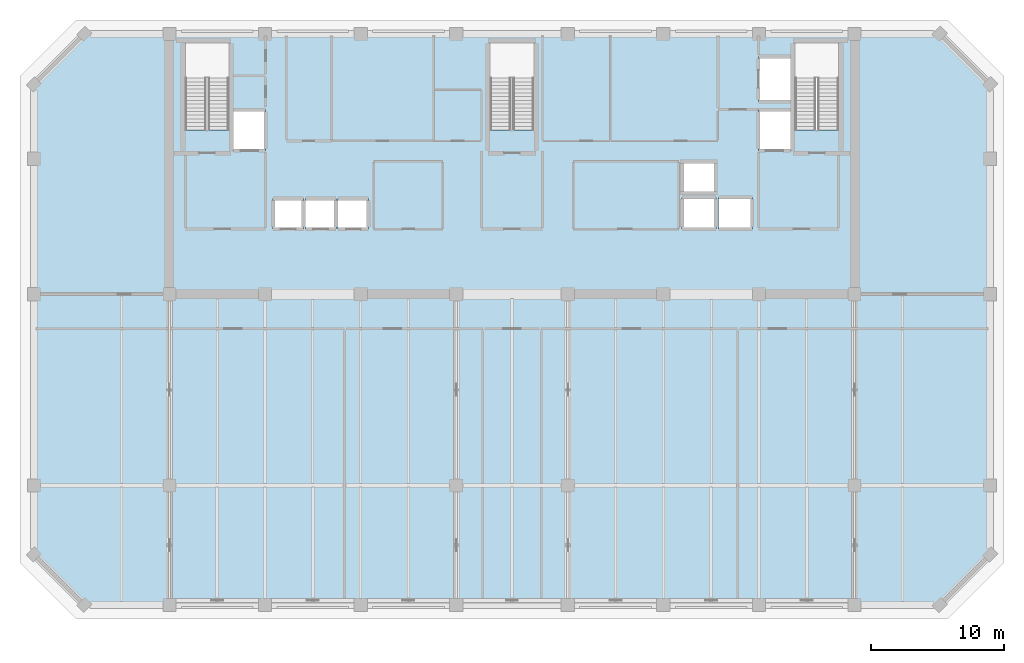
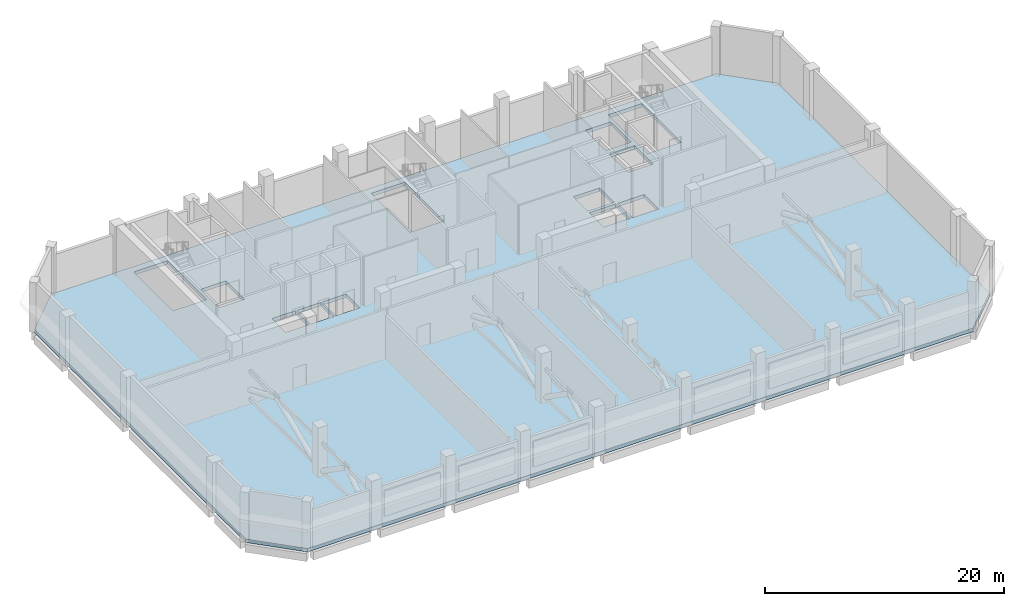
# One storey, part 4 of 11: 1 slab.
"""IFC4 building model written with IfcOpenShell, lengths in metres."""

import ifcopenshell
import ifcopenshell.guid

model = None  # the IFC model being written
_history = None  # IfcOwnerHistory: only IFC2X3 demands one
_inside = {}  # id of a spatial element -> (the spatial element, [elements in it])
_under = {}  # id of a project, library or spatial element -> (it, [spatial elements below it])
_declared = {}  # id of a project -> (the project, [libraries it declares])
_typed = {}  # id of a type object -> (the type object, [elements of that type])
_made_of = {}  # id of a material, layer set ... -> (it, [elements and type objects made of it])


def new_model(schema):
    """Start an empty IFC model of exactly this schema.

    Asked for "IFC4X3", IfcOpenShell would pick the latest addendum, in which some entities
    have other attributes; the version numbers below select the first issue.
    IFC2X3 requires an IfcOwnerHistory on every rooted entity: one is made here for all.
    """
    global model, _history
    if schema == "IFC4X3":
        model = ifcopenshell.file(schema_version=(4, 3, 0, 0))
    else:
        model = ifcopenshell.file(schema=schema)
    _inside.clear()
    _under.clear()
    _declared.clear()
    _typed.clear()
    _made_of.clear()
    _history = None
    if model.schema == "IFC2X3":
        org = make("IfcOrganization", Name="unknown")
        user = make(
            "IfcPersonAndOrganization",
            ThePerson=make("IfcPerson", FamilyName="unknown"),
            TheOrganization=org,
        )
        app = make(
            "IfcApplication",
            ApplicationDeveloper=org,
            Version="unknown",
            ApplicationFullName="unknown",
            ApplicationIdentifier="unknown",
        )
        _history = make(
            "IfcOwnerHistory",
            OwningUser=user,
            OwningApplication=app,
            ChangeAction="ADDED",
            CreationDate=0,
        )
    return model


def make(cls, **values):
    """One entity of the class cls with the attributes given. An attribute that is None is left unset."""
    return model.create_entity(
        cls, **{name: value for name, value in values.items() if value is not None}
    )


def rooted(cls, **values):
    """An entity with a GlobalId (a new one), such as an element, a storey or a relation."""
    return make(cls, GlobalId=ifcopenshell.guid.new(), OwnerHistory=_history, **values)


def si_unit(unit_type, name, prefix=None):
    """IfcSIUnit, for example si_unit("LENGTHUNIT", "METRE", prefix="MILLI")."""
    return make("IfcSIUnit", UnitType=unit_type, Prefix=prefix, Name=name)


def assignment(units):
    """IfcUnitAssignment: the units of a project."""
    return None if units is None else make("IfcUnitAssignment", Units=units)


def point(xyz):
    """IfcCartesianPoint."""
    return None if xyz is None else make("IfcCartesianPoint", Coordinates=xyz)


def direction(xyz):
    """IfcDirection."""
    return None if xyz is None else make("IfcDirection", DirectionRatios=xyz)


def frame(location, z_axis=None, x_axis=None):
    """IfcAxis2Placement3D, a coordinate frame: its origin and axes. An axis left out is left unset."""
    return make(
        "IfcAxis2Placement3D",
        Location=point(location),
        Axis=direction(z_axis),
        RefDirection=direction(x_axis),
    )


def origin():
    """The frame at (0, 0, 0) with its axes left unset."""
    return frame((0.0, 0.0, 0.0))


def place(relative_to, where):
    """IfcLocalPlacement: puts the frame where relative to a parent placement (None: the world)."""
    return make(
        "IfcLocalPlacement", PlacementRelTo=relative_to, RelativePlacement=where
    )


def context(
    kind, dimensions, precision=None, world=None, true_north=None, identifier=None
):
    """IfcGeometricRepresentationContext, for example the 3D "Model" context."""
    return make(
        "IfcGeometricRepresentationContext",
        ContextIdentifier=identifier,
        ContextType=kind,
        CoordinateSpaceDimension=dimensions,
        Precision=precision,
        WorldCoordinateSystem=world,
        TrueNorth=true_north,
    )


def subcontext(parent, identifier, kind, view, scale=None):
    """IfcGeometricRepresentationSubContext, for example "Body" below "Model"."""
    return make(
        "IfcGeometricRepresentationSubContext",
        ContextIdentifier=identifier,
        ContextType=kind,
        ParentContext=parent,
        TargetScale=scale,
        TargetView=view,
    )


def project(units=None, contexts=None):
    """IfcProject with its units and contexts."""
    return rooted(
        "IfcProject",
        Name="project",
        RepresentationContexts=contexts,
        UnitsInContext=assignment(units),
    )


def spatial(cls, under=None, at=None, **own):
    """A site, building, storey or space (cls), placed at a placement, below another one or the project."""
    s = rooted(cls, ObjectPlacement=at, **own)
    if under is not None:
        _under.setdefault(under.id(), (under, []))[1].append(s)
    return s


def polyline(points):
    """IfcPolyline through the points."""
    return make("IfcPolyline", Points=[point(p) for p in points])


def outline(outer, holes=None, kind="AREA"):
    """IfcArbitraryClosedProfileDef: a profile drawn as a closed curve; with holes, ...WithVoids."""
    if holes is None:
        return make("IfcArbitraryClosedProfileDef", ProfileType=kind, OuterCurve=outer)
    return make(
        "IfcArbitraryProfileDefWithVoids",
        ProfileType=kind,
        OuterCurve=outer,
        InnerCurves=holes,
    )


def extrude(swept, where, along, depth):
    """IfcExtrudedAreaSolid: the profile swept, set in the frame where, extruded along a direction by depth."""
    return make(
        "IfcExtrudedAreaSolid",
        SweptArea=swept,
        Position=where,
        ExtrudedDirection=direction(along),
        Depth=depth,
    )


def shape(context_of_items, identifier, shape_type, items):
    """IfcShapeRepresentation: the items that make up one representation, for example the "Body"."""
    return make(
        "IfcShapeRepresentation",
        ContextOfItems=context_of_items,
        RepresentationIdentifier=identifier,
        RepresentationType=shape_type,
        Items=items,
    )


def material(Name=None, Category=None):
    """IfcMaterial."""
    return make("IfcMaterial", Name=Name, Category=Category)


def layer(
    of_material, thickness, ventilated=None, Name=None, Category=None, Priority=None
):
    """IfcMaterialLayer: one layer of a wall or slab, of a material (None: an air gap)."""
    return make(
        "IfcMaterialLayer",
        Material=of_material,
        LayerThickness=thickness,
        IsVentilated=ventilated,
        Name=Name,
        Category=Category,
        Priority=Priority,
    )


def layer_set(layers, Name=None):
    """IfcMaterialLayerSet."""
    return make("IfcMaterialLayerSet", MaterialLayers=layers, LayerSetName=Name)


def made_of(thing, what):
    """Note that an element or type object is made of a material, layer set ...; save() writes the relation."""
    if what is not None:
        _made_of.setdefault(what.id(), (what, []))[1].append(thing)
    return thing


def type_object(cls, material=None, **own):
    """A type object (cls), such as IfcWallType, which elements share."""
    return made_of(rooted(cls, **own), material)


def element(
    cls,
    number,
    at=None,
    inside=None,
    cuts=None,
    type_object=None,
    material=None,
    context=None,
    identifier="Body",
    shape_type=None,
    held_by="IfcProductDefinitionShape",
    body=None,
    shapes=None,
    **own,
):
    """One element of the class cls, such as IfcWall. Its Tag is "e" and its number.

    at: its placement. inside: the storey or other place that contains it. cuts: it is an
    opening in that element (IfcRelVoidsElement). A single representation is given by context,
    identifier, shape_type and body (its items); several are given by shapes. held_by: the class
    of the entity that holds the representations. save() writes the other relations.
    """
    e = rooted(cls, Tag="e%d" % number, ObjectPlacement=at, **own)
    if body is not None:
        shapes = [shape(context, identifier, shape_type, body)]
    if shapes is not None:
        e.Representation = make(held_by, Representations=shapes)
    if inside is not None:
        _inside.setdefault(inside.id(), (inside, []))[1].append(e)
    if cuts is not None:
        rooted(
            "IfcRelVoidsElement", RelatingBuildingElement=cuts, RelatedOpeningElement=e
        )
    if type_object is not None:
        _typed.setdefault(type_object.id(), (type_object, []))[1].append(e)
    return made_of(e, material)


def aggregate(whole, parts):
    """IfcRelAggregates: a whole, such as a stair, and the parts it consists of."""
    return rooted("IfcRelAggregates", RelatingObject=whole, RelatedObjects=parts)


def save(model, path):
    """Write the relations noted so far, then the file.

    IfcRelAggregates (storeys below a building ...), IfcRelContainedInSpatialStructure (elements
    in a storey), IfcRelDefinesByType, IfcRelAssociatesMaterial and IfcRelDeclares: one each for
    every whole, place, type object, material and project.
    """
    for whole, parts in _under.values():
        aggregate(whole, parts)
    for where, things in _inside.values():
        rooted(
            "IfcRelContainedInSpatialStructure",
            RelatedElements=things,
            RelatingStructure=where,
        )
    for kind, things in _typed.values():
        rooted("IfcRelDefinesByType", RelatedObjects=things, RelatingType=kind)
    for what, things in _made_of.values():
        rooted("IfcRelAssociatesMaterial", RelatedObjects=things, RelatingMaterial=what)
    for by, libraries in _declared.values():
        rooted("IfcRelDeclares", RelatingContext=by, RelatedDefinitions=libraries)
    model.write(path)


model = new_model("IFC4")

# Units and contexts
model_context = context("Model", 3, precision=1e-05, world=origin(), true_north=direction((0.0, 1.0)))
body_context = subcontext(model_context, "Body", "Model", "MODEL_VIEW")
ifc_project = project(units=[si_unit("LENGTHUNIT", "METRE"), si_unit("AREAUNIT", "SQUARE_METRE"), si_unit("VOLUMEUNIT", "CUBIC_METRE"), si_unit("PLANEANGLEUNIT", "RADIAN"), si_unit("MASSUNIT", "GRAM", prefix="KILO")], contexts=[model_context])

# Site, building, storey
site_placement = place(None, origin())
site = spatial("IfcSite", under=ifc_project, at=site_placement, CompositionType="ELEMENT")
building_placement = place(site_placement, origin())
building = spatial("IfcBuilding", under=site, at=building_placement, Name="Kaelvorn Grand Hotel", CompositionType="ELEMENT")
storey_placement = place(building_placement, frame((0.0, 0.0, 280.5)))
storey = spatial("IfcBuildingStorey", under=building, at=storey_placement, Name="L69", CompositionType="ELEMENT", Elevation=280.5)

# Slab
ifc_material = material(Name="Concrete C40/50", Category="concrete")
ifc_layer = layer(ifc_material, 0.35009765625)
ifc_layer_set = layer_set([ifc_layer], Name="Concrete C40/50")
slab_type = type_object("IfcSlabType", Name="SLB-FLR-350-C40", PredefinedType="FLOOR", material=ifc_layer_set)
slab_placement = place(storey_placement, frame((0.0, 0.0, -0.35009765625)))
element("IfcSlab", 1, at=slab_placement, inside=storey, type_object=slab_type, Name="L69 Indoor Suspended Floor Slab", PredefinedType="FLOOR", context=body_context, shape_type="SweptSolid", body=[
    extrude(outline(polyline([(9.800048828125, 6.0), (74.199951171875, 6.0), (78.0, 9.800048828125), (78.0, 45.199951171875), (74.199951171875, 49.0), (9.800048828125, 49.0), (6.0, 45.199951171875), (6.0, 9.800048828125), (9.800048828125, 6.0)]), holes=[polyline([(17.39990234375, 41.760009765625), (17.39990234375, 48.300048828125), (20.679931640625, 48.300048828125), (20.679931640625, 41.760009765625), (17.39990234375, 41.760009765625)]), polyline([(40.360107421875, 41.760009765625), (40.360107421875, 48.300048828125), (43.639892578125, 48.300048828125), (43.639892578125, 41.760009765625), (40.360107421875, 41.760009765625)]), polyline([(63.320068359375, 41.760009765625), (63.320068359375, 48.300048828125), (66.60009765625, 48.300048828125), (66.60009765625, 41.760009765625), (63.320068359375, 41.760009765625)]), polyline([(24.0, 34.300048828125), (24.0, 36.60009765625), (26.300048828125, 36.60009765625), (26.300048828125, 34.300048828125), (24.0, 34.300048828125)]), polyline([(26.449951171875, 34.300048828125), (26.449951171875, 36.60009765625), (28.75, 36.60009765625), (28.75, 34.300048828125), (26.449951171875, 34.300048828125)]), polyline([(28.89990234375, 34.300048828125), (28.89990234375, 36.60009765625), (31.199951171875, 36.60009765625), (31.199951171875, 34.300048828125), (28.89990234375, 34.300048828125)]), polyline([(54.800048828125, 34.300048828125), (54.800048828125, 36.699951171875), (57.35009765625, 36.699951171875), (57.35009765625, 34.300048828125), (54.800048828125, 34.300048828125)]), polyline([(57.550048828125, 34.300048828125), (57.550048828125, 36.699951171875), (60.10009765625, 36.699951171875), (60.10009765625, 34.300048828125), (57.550048828125, 34.300048828125)]), polyline([(54.800048828125, 37.0), (54.800048828125, 39.39990234375), (57.35009765625, 39.39990234375), (57.35009765625, 37.0), (54.800048828125, 37.0)]), polyline([(21.0, 40.199951171875), (21.0, 43.300048828125), (23.449951171875, 43.300048828125), (23.449951171875, 40.199951171875), (21.0, 40.199951171875)]), polyline([(60.550048828125, 40.199951171875), (60.550048828125, 43.300048828125), (63.0, 43.300048828125), (63.0, 40.199951171875), (60.550048828125, 40.199951171875)]), polyline([(60.550048828125, 43.89990234375), (60.550048828125, 47.300048828125), (63.0, 47.300048828125), (63.0, 43.89990234375), (60.550048828125, 43.89990234375)])]), origin(), (0.0, 0.0, 1.0), 0.35009765625),
])

save(model, "model.ifc")
